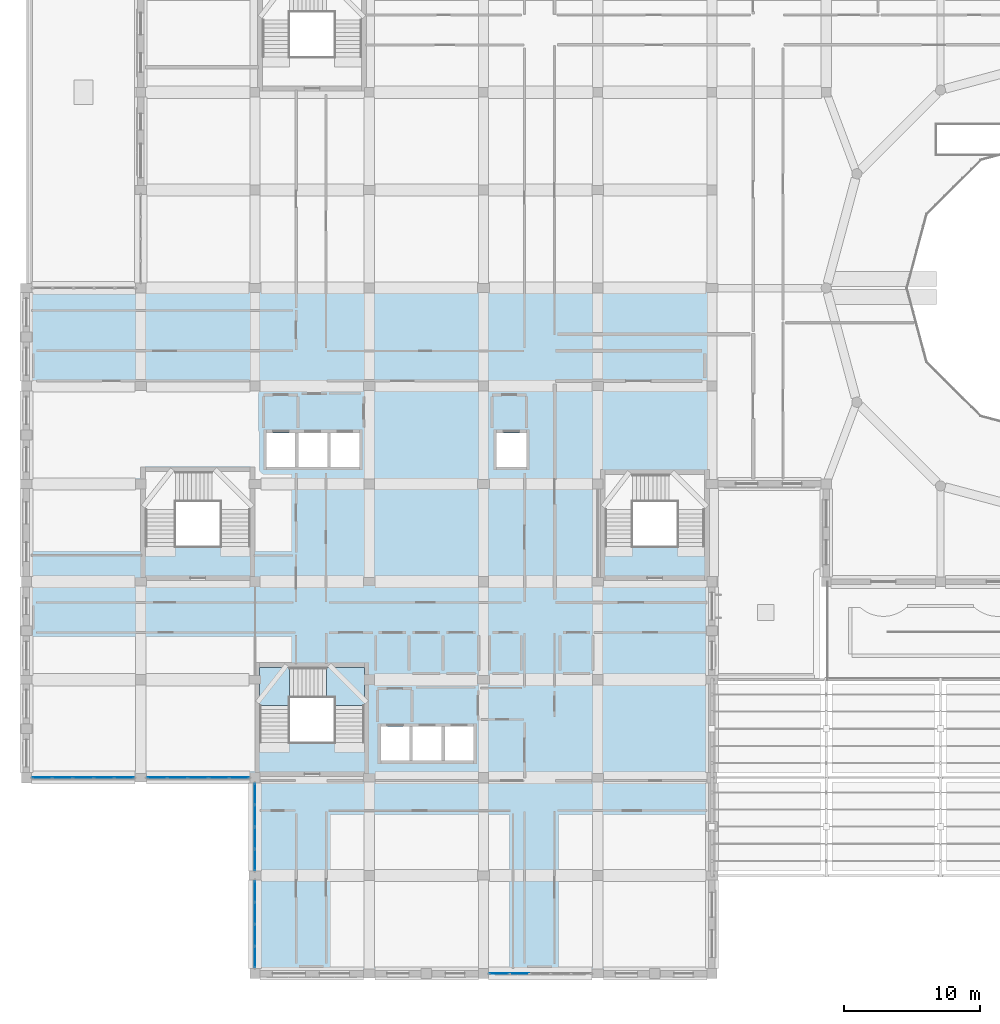
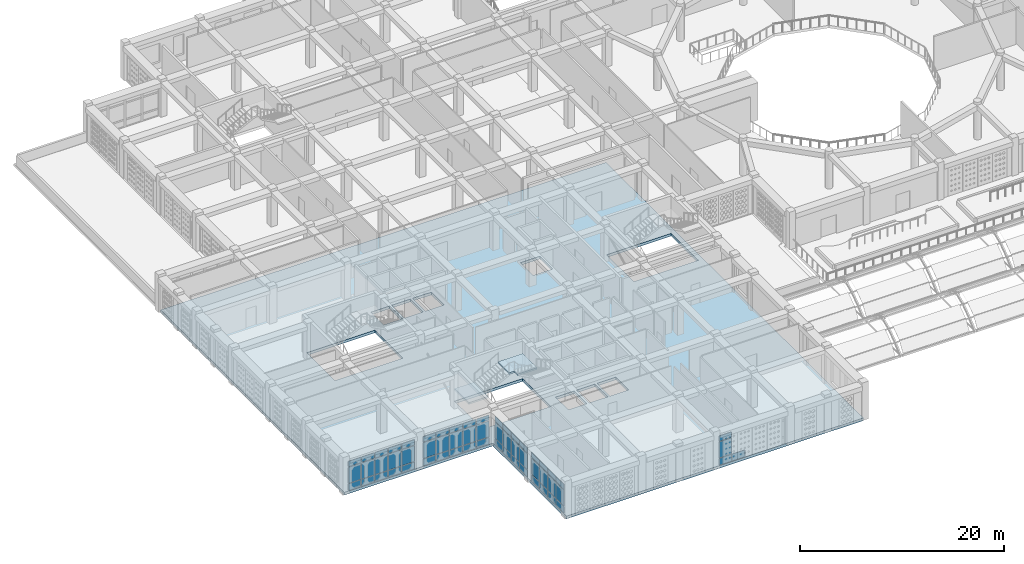
# One storey, part 40 of 100: 58 plates, 3 slabs, 6 elements without a shape of their own.
"""IFC4 building model written with IfcOpenShell, lengths in metres."""

from ifc_helpers import new_model, si_unit, derived_unit, direction, frame, origin, origin_2d, place, context, subcontext, project, spatial, polyline, rectangle, outline, extrude, material, layer, layer_set, type_object, element, aggregate, save


model = new_model("IFC4")

# Units and contexts
model_context = context("Model", 3, precision=1e-05, world=origin(), true_north=direction((0.0, 1.0)))
body_context = subcontext(model_context, "Body", "Model", "MODEL_VIEW")
ifc_project = project(units=[si_unit("LENGTHUNIT", "METRE"), si_unit("AREAUNIT", "SQUARE_METRE"), si_unit("VOLUMEUNIT", "CUBIC_METRE"), si_unit("PLANEANGLEUNIT", "RADIAN"), si_unit("MASSUNIT", "GRAM", prefix="KILO"), derived_unit("THERMALTRANSMITTANCEUNIT", [(si_unit("POWERUNIT", "WATT"), 1), (si_unit("LENGTHUNIT", "METRE"), -2), (si_unit("THERMODYNAMICTEMPERATUREUNIT", "KELVIN"), -1)])], contexts=[model_context])

# Site, building, storey
site_placement = place(None, origin())
site = spatial("IfcSite", under=ifc_project, at=site_placement, CompositionType="ELEMENT")
building_placement = place(site_placement, origin())
building = spatial("IfcBuilding", under=site, at=building_placement, Name="Veybourne Emporium", CompositionType="ELEMENT")
storey_placement = place(building_placement, frame((0.0, 0.0, 14.39990234375)))
storey = spatial("IfcBuildingStorey", under=building, at=storey_placement, Name="L03", CompositionType="ELEMENT", Elevation=14.39990234375)

# Curtain wall, plates
ifc_material_1 = material(Name="Patinated Architectural Bronze", Category="bronze")
curtain_wall_type_1 = type_object("IfcCurtainWallType", Name="CWSystem_CWS-05", PredefinedType="NOTDEFINED", material=ifc_material_1)
curtain_wall_1_placement = place(storey_placement, origin())
curtain_wall_1 = element("IfcCurtainWall", 1, at=curtain_wall_1_placement, inside=storey, type_object=curtain_wall_type_1, Name="L03 bronze glazed curtain wall CWS-05 (001)", PredefinedType="NOTDEFINED")
ifc_material_2 = material(Name="Low-E Triple Glazing", Category="glass")
ifc_layer_1 = layer(ifc_material_2, 0.028076171875)
ifc_layer_set_1 = layer_set([ifc_layer_1], Name="Low-E Triple Glazing")
plate_type = type_object("IfcPlateType", Name="CWPanel_CW-P1", PredefinedType="CURTAIN_PANEL", material=ifc_layer_set_1)
plate_1_placement = place(storey_placement, frame((7.197021484375, 14.39990234375, 0.072021484375), z_axis=(0.0, 0.0, 1.0), x_axis=(-1.0, 0.0, 0.0)))
plate_1 = element("IfcPlate", 2, at=plate_1_placement, type_object=plate_type, Name="CWS-05 panel 1.1", PredefinedType="CURTAIN_PANEL", context=body_context, shape_type="SweptSolid", body=[
    extrude(rectangle(XDim=1.412109375, YDim=0.028076171875, at=origin_2d()), origin(), (0.0, 0.0, 1.0), 0.7919921875),
])
plate_2_placement = place(storey_placement, frame((7.197021484375, 14.39990234375, 0.93603515625), z_axis=(0.0, 0.0, 1.0), x_axis=(-1.0, 0.0, 0.0)))
plate_2 = element("IfcPlate", 3, at=plate_2_placement, type_object=plate_type, Name="CWS-05 panel 1.2", PredefinedType="CURTAIN_PANEL", context=body_context, shape_type="SweptSolid", body=[
    extrude(rectangle(XDim=1.412109375, YDim=0.028076171875, at=origin_2d()), origin(), (0.0, 0.0, 1.0), 1.907958984375),
])
plate_3_placement = place(storey_placement, frame((7.197021484375, 14.39990234375, 2.916015625), z_axis=(0.0, 0.0, 1.0), x_axis=(-1.0, 0.0, 0.0)))
plate_3 = element("IfcPlate", 4, at=plate_3_placement, type_object=plate_type, Name="CWS-05 panel 1.3", PredefinedType="CURTAIN_PANEL", context=body_context, shape_type="SweptSolid", body=[
    extrude(rectangle(XDim=1.412109375, YDim=0.028076171875, at=origin_2d()), origin(), (0.0, 0.0, 1.0), 0.64208984375),
])
plate_4_placement = place(storey_placement, frame((5.695068359375, 14.39990234375, 0.072021484375), z_axis=(0.0, 0.0, 1.0), x_axis=(-1.0, 0.0, 0.0)))
plate_4 = element("IfcPlate", 5, at=plate_4_placement, type_object=plate_type, Name="CWS-05 panel 2.1", PredefinedType="CURTAIN_PANEL", context=body_context, shape_type="SweptSolid", body=[
    extrude(rectangle(XDim=1.447998046875, YDim=0.028076171875, at=origin_2d()), origin(), (0.0, 0.0, 1.0), 0.7919921875),
])
plate_5_placement = place(storey_placement, frame((5.695068359375, 14.39990234375, 0.93603515625), z_axis=(0.0, 0.0, 1.0), x_axis=(-1.0, 0.0, 0.0)))
plate_5 = element("IfcPlate", 6, at=plate_5_placement, type_object=plate_type, Name="CWS-05 panel 2.2", PredefinedType="CURTAIN_PANEL", context=body_context, shape_type="SweptSolid", body=[
    extrude(rectangle(XDim=1.447998046875, YDim=0.028076171875, at=origin_2d()), origin(), (0.0, 0.0, 1.0), 1.907958984375),
])
plate_6_placement = place(storey_placement, frame((5.695068359375, 14.39990234375, 2.916015625), z_axis=(0.0, 0.0, 1.0), x_axis=(-1.0, 0.0, 0.0)))
plate_6 = element("IfcPlate", 7, at=plate_6_placement, type_object=plate_type, Name="CWS-05 panel 2.3", PredefinedType="CURTAIN_PANEL", context=body_context, shape_type="SweptSolid", body=[
    extrude(rectangle(XDim=1.447998046875, YDim=0.028076171875, at=origin_2d()), origin(), (0.0, 0.0, 1.0), 0.64208984375),
])
plate_7_placement = place(storey_placement, frame((4.175048828125, 14.39990234375, 0.072021484375), z_axis=(0.0, 0.0, 1.0), x_axis=(-1.0, 0.0, 0.0)))
plate_7 = element("IfcPlate", 8, at=plate_7_placement, type_object=plate_type, Name="CWS-05 panel 3.1", PredefinedType="CURTAIN_PANEL", context=body_context, shape_type="SweptSolid", body=[
    extrude(rectangle(XDim=1.447998046875, YDim=0.028076171875, at=origin_2d()), origin(), (0.0, 0.0, 1.0), 0.7919921875),
])
plate_8_placement = place(storey_placement, frame((4.175048828125, 14.39990234375, 0.93603515625), z_axis=(0.0, 0.0, 1.0), x_axis=(-1.0, 0.0, 0.0)))
plate_8 = element("IfcPlate", 9, at=plate_8_placement, type_object=plate_type, Name="CWS-05 panel 3.2", PredefinedType="CURTAIN_PANEL", context=body_context, shape_type="SweptSolid", body=[
    extrude(rectangle(XDim=1.447998046875, YDim=0.028076171875, at=origin_2d()), origin(), (0.0, 0.0, 1.0), 1.907958984375),
])
plate_9_placement = place(storey_placement, frame((4.175048828125, 14.39990234375, 2.916015625), z_axis=(0.0, 0.0, 1.0), x_axis=(-1.0, 0.0, 0.0)))
plate_9 = element("IfcPlate", 10, at=plate_9_placement, type_object=plate_type, Name="CWS-05 panel 3.3", PredefinedType="CURTAIN_PANEL", context=body_context, shape_type="SweptSolid", body=[
    extrude(rectangle(XDim=1.447998046875, YDim=0.028076171875, at=origin_2d()), origin(), (0.0, 0.0, 1.0), 0.64208984375),
])
plate_10_placement = place(storey_placement, frame((2.655029296875, 14.39990234375, 0.072021484375), z_axis=(0.0, 0.0, 1.0), x_axis=(-1.0, 0.0, 0.0)))
plate_10 = element("IfcPlate", 11, at=plate_10_placement, type_object=plate_type, Name="CWS-05 panel 4.1", PredefinedType="CURTAIN_PANEL", context=body_context, shape_type="SweptSolid", body=[
    extrude(rectangle(XDim=1.447998046875, YDim=0.028076171875, at=origin_2d()), origin(), (0.0, 0.0, 1.0), 0.7919921875),
])
plate_11_placement = place(storey_placement, frame((2.655029296875, 14.39990234375, 0.93603515625), z_axis=(0.0, 0.0, 1.0), x_axis=(-1.0, 0.0, 0.0)))
plate_11 = element("IfcPlate", 12, at=plate_11_placement, type_object=plate_type, Name="CWS-05 panel 4.2", PredefinedType="CURTAIN_PANEL", context=body_context, shape_type="SweptSolid", body=[
    extrude(rectangle(XDim=1.447998046875, YDim=0.028076171875, at=origin_2d()), origin(), (0.0, 0.0, 1.0), 1.907958984375),
])
plate_12_placement = place(storey_placement, frame((2.655029296875, 14.39990234375, 2.916015625), z_axis=(0.0, 0.0, 1.0), x_axis=(-1.0, 0.0, 0.0)))
plate_12 = element("IfcPlate", 13, at=plate_12_placement, type_object=plate_type, Name="CWS-05 panel 4.3", PredefinedType="CURTAIN_PANEL", context=body_context, shape_type="SweptSolid", body=[
    extrude(rectangle(XDim=1.447998046875, YDim=0.028076171875, at=origin_2d()), origin(), (0.0, 0.0, 1.0), 0.64208984375),
])
plate_13_placement = place(storey_placement, frame((1.153076171875, 14.39990234375, 0.072021484375), z_axis=(0.0, 0.0, 1.0), x_axis=(-1.0, 0.0, 0.0)))
plate_13 = element("IfcPlate", 14, at=plate_13_placement, type_object=plate_type, Name="CWS-05 panel 5.1", PredefinedType="CURTAIN_PANEL", context=body_context, shape_type="SweptSolid", body=[
    extrude(rectangle(XDim=1.412109375, YDim=0.028076171875, at=origin_2d()), origin(), (0.0, 0.0, 1.0), 0.7919921875),
])
plate_14_placement = place(storey_placement, frame((1.153076171875, 14.39990234375, 0.93603515625), z_axis=(0.0, 0.0, 1.0), x_axis=(-1.0, 0.0, 0.0)))
plate_14 = element("IfcPlate", 15, at=plate_14_placement, type_object=plate_type, Name="CWS-05 panel 5.2", PredefinedType="CURTAIN_PANEL", context=body_context, shape_type="SweptSolid", body=[
    extrude(rectangle(XDim=1.412109375, YDim=0.028076171875, at=origin_2d()), origin(), (0.0, 0.0, 1.0), 1.907958984375),
])
plate_15_placement = place(storey_placement, frame((1.153076171875, 14.39990234375, 2.916015625), z_axis=(0.0, 0.0, 1.0), x_axis=(-1.0, 0.0, 0.0)))
plate_15 = element("IfcPlate", 16, at=plate_15_placement, type_object=plate_type, Name="CWS-05 panel 5.3", PredefinedType="CURTAIN_PANEL", context=body_context, shape_type="SweptSolid", body=[
    extrude(rectangle(XDim=1.412109375, YDim=0.028076171875, at=origin_2d()), origin(), (0.0, 0.0, 1.0), 0.64208984375),
])
aggregate(curtain_wall_1, [plate_1, plate_2, plate_3, plate_4, plate_5, plate_6, plate_7, plate_8, plate_9, plate_10, plate_11, plate_12, plate_13, plate_14, plate_15])

curtain_wall_type_2 = type_object("IfcCurtainWallType", Name="CWSystem_CWS-07", PredefinedType="NOTDEFINED", material=ifc_material_1)
curtain_wall_2_placement = place(storey_placement, origin())
curtain_wall_2 = element("IfcCurtainWall", 17, at=curtain_wall_2_placement, inside=storey, type_object=curtain_wall_type_2, Name="L03 bronze glazed curtain wall CWS-07 (008)", PredefinedType="NOTDEFINED")
plate_16_placement = place(storey_placement, frame((15.6455078125, 14.39990234375, 0.078125), z_axis=(0.0, 0.0, 1.0), x_axis=(-1.0, 0.0, 0.0)))
plate_16 = element("IfcPlate", 18, at=plate_16_placement, type_object=plate_type, Name="CWS-07 panel 1.1", PredefinedType="CURTAIN_PANEL", context=body_context, shape_type="SweptSolid", body=[
    extrude(rectangle(XDim=1.403076171875, YDim=0.028076171875, at=origin_2d()), origin(), (0.0, 0.0, 1.0), 0.782958984375),
])
plate_17_placement = place(storey_placement, frame((15.6455078125, 14.39990234375, 0.93896484375), z_axis=(0.0, 0.0, 1.0), x_axis=(-1.0, 0.0, 0.0)))
plate_17 = element("IfcPlate", 19, at=plate_17_placement, type_object=plate_type, Name="CWS-07 panel 1.2", PredefinedType="CURTAIN_PANEL", context=body_context, shape_type="SweptSolid", body=[
    extrude(rectangle(XDim=1.403076171875, YDim=0.028076171875, at=origin_2d()), origin(), (0.0, 0.0, 1.0), 1.902099609375),
])
plate_18_placement = place(storey_placement, frame((15.6455078125, 14.39990234375, 2.9189453125), z_axis=(0.0, 0.0, 1.0), x_axis=(-1.0, 0.0, 0.0)))
plate_18 = element("IfcPlate", 20, at=plate_18_placement, type_object=plate_type, Name="CWS-07 panel 1.3", PredefinedType="CURTAIN_PANEL", context=body_context, shape_type="SweptSolid", body=[
    extrude(rectangle(XDim=1.403076171875, YDim=0.028076171875, at=origin_2d()), origin(), (0.0, 0.0, 1.0), 0.633056640625),
])
plate_19_placement = place(storey_placement, frame((14.14501953125, 14.39990234375, 0.078125), z_axis=(0.0, 0.0, 1.0), x_axis=(-1.0, 0.0, 0.0)))
plate_19 = element("IfcPlate", 21, at=plate_19_placement, type_object=plate_type, Name="CWS-07 panel 2.1", PredefinedType="CURTAIN_PANEL", context=body_context, shape_type="SweptSolid", body=[
    extrude(rectangle(XDim=1.44189453125, YDim=0.028076171875, at=origin_2d()), origin(), (0.0, 0.0, 1.0), 0.782958984375),
])
plate_20_placement = place(storey_placement, frame((14.14501953125, 14.39990234375, 0.93896484375), z_axis=(0.0, 0.0, 1.0), x_axis=(-1.0, 0.0, 0.0)))
plate_20 = element("IfcPlate", 22, at=plate_20_placement, type_object=plate_type, Name="CWS-07 panel 2.2", PredefinedType="CURTAIN_PANEL", context=body_context, shape_type="SweptSolid", body=[
    extrude(rectangle(XDim=1.44189453125, YDim=0.028076171875, at=origin_2d()), origin(), (0.0, 0.0, 1.0), 1.902099609375),
])
plate_21_placement = place(storey_placement, frame((14.14501953125, 14.39990234375, 2.9189453125), z_axis=(0.0, 0.0, 1.0), x_axis=(-1.0, 0.0, 0.0)))
plate_21 = element("IfcPlate", 23, at=plate_21_placement, type_object=plate_type, Name="CWS-07 panel 2.3", PredefinedType="CURTAIN_PANEL", context=body_context, shape_type="SweptSolid", body=[
    extrude(rectangle(XDim=1.44189453125, YDim=0.028076171875, at=origin_2d()), origin(), (0.0, 0.0, 1.0), 0.633056640625),
])
plate_22_placement = place(storey_placement, frame((12.625, 14.39990234375, 0.078125), z_axis=(0.0, 0.0, 1.0), x_axis=(-1.0, 0.0, 0.0)))
plate_22 = element("IfcPlate", 24, at=plate_22_placement, type_object=plate_type, Name="CWS-07 panel 3.1", PredefinedType="CURTAIN_PANEL", context=body_context, shape_type="SweptSolid", body=[
    extrude(rectangle(XDim=1.44189453125, YDim=0.028076171875, at=origin_2d()), origin(), (0.0, 0.0, 1.0), 0.782958984375),
])
plate_23_placement = place(storey_placement, frame((12.625, 14.39990234375, 0.93896484375), z_axis=(0.0, 0.0, 1.0), x_axis=(-1.0, 0.0, 0.0)))
plate_23 = element("IfcPlate", 25, at=plate_23_placement, type_object=plate_type, Name="CWS-07 panel 3.2", PredefinedType="CURTAIN_PANEL", context=body_context, shape_type="SweptSolid", body=[
    extrude(rectangle(XDim=1.44189453125, YDim=0.028076171875, at=origin_2d()), origin(), (0.0, 0.0, 1.0), 1.902099609375),
])
plate_24_placement = place(storey_placement, frame((12.625, 14.39990234375, 2.9189453125), z_axis=(0.0, 0.0, 1.0), x_axis=(-1.0, 0.0, 0.0)))
plate_24 = element("IfcPlate", 26, at=plate_24_placement, type_object=plate_type, Name="CWS-07 panel 3.3", PredefinedType="CURTAIN_PANEL", context=body_context, shape_type="SweptSolid", body=[
    extrude(rectangle(XDim=1.44189453125, YDim=0.028076171875, at=origin_2d()), origin(), (0.0, 0.0, 1.0), 0.633056640625),
])
plate_25_placement = place(storey_placement, frame((11.10498046875, 14.39990234375, 0.078125), z_axis=(0.0, 0.0, 1.0), x_axis=(-1.0, 0.0, 0.0)))
plate_25 = element("IfcPlate", 27, at=plate_25_placement, type_object=plate_type, Name="CWS-07 panel 4.1", PredefinedType="CURTAIN_PANEL", context=body_context, shape_type="SweptSolid", body=[
    extrude(rectangle(XDim=1.44189453125, YDim=0.028076171875, at=origin_2d()), origin(), (0.0, 0.0, 1.0), 0.782958984375),
])
plate_26_placement = place(storey_placement, frame((11.10498046875, 14.39990234375, 0.93896484375), z_axis=(0.0, 0.0, 1.0), x_axis=(-1.0, 0.0, 0.0)))
plate_26 = element("IfcPlate", 28, at=plate_26_placement, type_object=plate_type, Name="CWS-07 panel 4.2", PredefinedType="CURTAIN_PANEL", context=body_context, shape_type="SweptSolid", body=[
    extrude(rectangle(XDim=1.44189453125, YDim=0.028076171875, at=origin_2d()), origin(), (0.0, 0.0, 1.0), 1.902099609375),
])
plate_27_placement = place(storey_placement, frame((11.10498046875, 14.39990234375, 2.9189453125), z_axis=(0.0, 0.0, 1.0), x_axis=(-1.0, 0.0, 0.0)))
plate_27 = element("IfcPlate", 29, at=plate_27_placement, type_object=plate_type, Name="CWS-07 panel 4.3", PredefinedType="CURTAIN_PANEL", context=body_context, shape_type="SweptSolid", body=[
    extrude(rectangle(XDim=1.44189453125, YDim=0.028076171875, at=origin_2d()), origin(), (0.0, 0.0, 1.0), 0.633056640625),
])
plate_28_placement = place(storey_placement, frame((9.6044921875, 14.39990234375, 0.078125), z_axis=(0.0, 0.0, 1.0), x_axis=(-1.0, 0.0, 0.0)))
plate_28 = element("IfcPlate", 30, at=plate_28_placement, type_object=plate_type, Name="CWS-07 panel 5.1", PredefinedType="CURTAIN_PANEL", context=body_context, shape_type="SweptSolid", body=[
    extrude(rectangle(XDim=1.403076171875, YDim=0.028076171875, at=origin_2d()), origin(), (0.0, 0.0, 1.0), 0.782958984375),
])
plate_29_placement = place(storey_placement, frame((9.6044921875, 14.39990234375, 0.93896484375), z_axis=(0.0, 0.0, 1.0), x_axis=(-1.0, 0.0, 0.0)))
plate_29 = element("IfcPlate", 31, at=plate_29_placement, type_object=plate_type, Name="CWS-07 panel 5.2", PredefinedType="CURTAIN_PANEL", context=body_context, shape_type="SweptSolid", body=[
    extrude(rectangle(XDim=1.403076171875, YDim=0.028076171875, at=origin_2d()), origin(), (0.0, 0.0, 1.0), 1.902099609375),
])
plate_30_placement = place(storey_placement, frame((9.6044921875, 14.39990234375, 2.9189453125), z_axis=(0.0, 0.0, 1.0), x_axis=(-1.0, 0.0, 0.0)))
plate_30 = element("IfcPlate", 32, at=plate_30_placement, type_object=plate_type, Name="CWS-07 panel 5.3", PredefinedType="CURTAIN_PANEL", context=body_context, shape_type="SweptSolid", body=[
    extrude(rectangle(XDim=1.403076171875, YDim=0.028076171875, at=origin_2d()), origin(), (0.0, 0.0, 1.0), 0.633056640625),
])
aggregate(curtain_wall_2, [plate_16, plate_17, plate_18, plate_19, plate_20, plate_21, plate_22, plate_23, plate_24, plate_25, plate_26, plate_27, plate_28, plate_29, plate_30])

curtain_wall_type_3 = type_object("IfcCurtainWallType", Name="CWSystem_CWS-10", PredefinedType="NOTDEFINED", material=ifc_material_1)
curtain_wall_3_placement = place(storey_placement, origin())
curtain_wall_3 = element("IfcCurtainWall", 33, at=curtain_wall_3_placement, inside=storey, type_object=curtain_wall_type_3, Name="L03 bronze glazed curtain wall CWS-10 (015)", PredefinedType="NOTDEFINED")
plate_31_placement = place(storey_placement, frame((16.800048828125, 1.206298828125, 0.074951171875), z_axis=(0.0, 0.0, 1.0), x_axis=(0.0, 1.0, 0.0)))
plate_31 = element("IfcPlate", 34, at=plate_31_placement, type_object=plate_type, Name="CWS-10 panel 1.1", PredefinedType="CURTAIN_PANEL", context=body_context, shape_type="SweptSolid", body=[
    extrude(rectangle(XDim=1.512451171875, YDim=0.028076171875, at=origin_2d()), origin(), (0.0, 0.0, 1.0), 0.78759765625),
])
plate_32_placement = place(storey_placement, frame((16.800048828125, 1.206298828125, 0.9375), z_axis=(0.0, 0.0, 1.0), x_axis=(0.0, 1.0, 0.0)))
plate_32 = element("IfcPlate", 35, at=plate_32_placement, type_object=plate_type, Name="CWS-10 panel 1.2", PredefinedType="CURTAIN_PANEL", context=body_context, shape_type="SweptSolid", body=[
    extrude(rectangle(XDim=1.512451171875, YDim=0.028076171875, at=origin_2d()), origin(), (0.0, 0.0, 1.0), 1.905029296875),
])
plate_33_placement = place(storey_placement, frame((16.800048828125, 1.206298828125, 2.91748046875), z_axis=(0.0, 0.0, 1.0), x_axis=(0.0, 1.0, 0.0)))
plate_33 = element("IfcPlate", 36, at=plate_33_placement, type_object=plate_type, Name="CWS-10 panel 1.3", PredefinedType="CURTAIN_PANEL", context=body_context, shape_type="SweptSolid", body=[
    extrude(rectangle(XDim=1.512451171875, YDim=0.028076171875, at=origin_2d()), origin(), (0.0, 0.0, 1.0), 0.637451171875),
])
plate_34_placement = place(storey_placement, frame((16.800048828125, 2.8125, 0.074951171875), z_axis=(0.0, 0.0, 1.0), x_axis=(0.0, 1.0, 0.0)))
plate_34 = element("IfcPlate", 37, at=plate_34_placement, type_object=plate_type, Name="CWS-10 panel 2.1", PredefinedType="CURTAIN_PANEL", context=body_context, shape_type="SweptSolid", body=[
    extrude(rectangle(XDim=1.550048828125, YDim=0.028076171875, at=origin_2d()), origin(), (0.0, 0.0, 1.0), 0.78759765625),
])
plate_35_placement = place(storey_placement, frame((16.800048828125, 2.8125, 0.9375), z_axis=(0.0, 0.0, 1.0), x_axis=(0.0, 1.0, 0.0)))
plate_35 = element("IfcPlate", 38, at=plate_35_placement, type_object=plate_type, Name="CWS-10 panel 2.2", PredefinedType="CURTAIN_PANEL", context=body_context, shape_type="SweptSolid", body=[
    extrude(rectangle(XDim=1.550048828125, YDim=0.028076171875, at=origin_2d()), origin(), (0.0, 0.0, 1.0), 1.905029296875),
])
plate_36_placement = place(storey_placement, frame((16.800048828125, 2.8125, 2.91748046875), z_axis=(0.0, 0.0, 1.0), x_axis=(0.0, 1.0, 0.0)))
plate_36 = element("IfcPlate", 39, at=plate_36_placement, type_object=plate_type, Name="CWS-10 panel 2.3", PredefinedType="CURTAIN_PANEL", context=body_context, shape_type="SweptSolid", body=[
    extrude(rectangle(XDim=1.550048828125, YDim=0.028076171875, at=origin_2d()), origin(), (0.0, 0.0, 1.0), 0.637451171875),
])
plate_37_placement = place(storey_placement, frame((16.800048828125, 4.4375, 0.074951171875), z_axis=(0.0, 0.0, 1.0), x_axis=(0.0, 1.0, 0.0)))
plate_37 = element("IfcPlate", 40, at=plate_37_placement, type_object=plate_type, Name="CWS-10 panel 3.1", PredefinedType="CURTAIN_PANEL", context=body_context, shape_type="SweptSolid", body=[
    extrude(rectangle(XDim=1.550048828125, YDim=0.028076171875, at=origin_2d()), origin(), (0.0, 0.0, 1.0), 0.78759765625),
])
plate_38_placement = place(storey_placement, frame((16.800048828125, 4.4375, 0.9375), z_axis=(0.0, 0.0, 1.0), x_axis=(0.0, 1.0, 0.0)))
plate_38 = element("IfcPlate", 41, at=plate_38_placement, type_object=plate_type, Name="CWS-10 panel 3.2", PredefinedType="CURTAIN_PANEL", context=body_context, shape_type="SweptSolid", body=[
    extrude(rectangle(XDim=1.550048828125, YDim=0.028076171875, at=origin_2d()), origin(), (0.0, 0.0, 1.0), 1.905029296875),
])
plate_39_placement = place(storey_placement, frame((16.800048828125, 4.4375, 2.91748046875), z_axis=(0.0, 0.0, 1.0), x_axis=(0.0, 1.0, 0.0)))
plate_39 = element("IfcPlate", 42, at=plate_39_placement, type_object=plate_type, Name="CWS-10 panel 3.3", PredefinedType="CURTAIN_PANEL", context=body_context, shape_type="SweptSolid", body=[
    extrude(rectangle(XDim=1.550048828125, YDim=0.028076171875, at=origin_2d()), origin(), (0.0, 0.0, 1.0), 0.637451171875),
])
plate_40_placement = place(storey_placement, frame((16.800048828125, 6.043701171875, 0.074951171875), z_axis=(0.0, 0.0, 1.0), x_axis=(0.0, 1.0, 0.0)))
plate_40 = element("IfcPlate", 43, at=plate_40_placement, type_object=plate_type, Name="CWS-10 panel 4.1", PredefinedType="CURTAIN_PANEL", context=body_context, shape_type="SweptSolid", body=[
    extrude(rectangle(XDim=1.512451171875, YDim=0.028076171875, at=origin_2d()), origin(), (0.0, 0.0, 1.0), 0.78759765625),
])
plate_41_placement = place(storey_placement, frame((16.800048828125, 6.043701171875, 0.9375), z_axis=(0.0, 0.0, 1.0), x_axis=(0.0, 1.0, 0.0)))
plate_41 = element("IfcPlate", 44, at=plate_41_placement, type_object=plate_type, Name="CWS-10 panel 4.2", PredefinedType="CURTAIN_PANEL", context=body_context, shape_type="SweptSolid", body=[
    extrude(rectangle(XDim=1.512451171875, YDim=0.028076171875, at=origin_2d()), origin(), (0.0, 0.0, 1.0), 1.905029296875),
])
plate_42_placement = place(storey_placement, frame((16.800048828125, 6.043701171875, 2.91748046875), z_axis=(0.0, 0.0, 1.0), x_axis=(0.0, 1.0, 0.0)))
plate_42 = element("IfcPlate", 45, at=plate_42_placement, type_object=plate_type, Name="CWS-10 panel 4.3", PredefinedType="CURTAIN_PANEL", context=body_context, shape_type="SweptSolid", body=[
    extrude(rectangle(XDim=1.512451171875, YDim=0.028076171875, at=origin_2d()), origin(), (0.0, 0.0, 1.0), 0.637451171875),
])
aggregate(curtain_wall_3, [plate_31, plate_32, plate_33, plate_34, plate_35, plate_36, plate_37, plate_38, plate_39, plate_40, plate_41, plate_42])

curtain_wall_type_4 = type_object("IfcCurtainWallType", Name="CWSystem_CWS-11", PredefinedType="NOTDEFINED", material=ifc_material_1)
curtain_wall_4_placement = place(storey_placement, origin())
curtain_wall_4 = element("IfcCurtainWall", 46, at=curtain_wall_4_placement, inside=storey, type_object=curtain_wall_type_4, Name="L03 bronze glazed curtain wall CWS-11 (016)", PredefinedType="NOTDEFINED")
plate_43_placement = place(storey_placement, frame((16.800048828125, 8.35693359375, 0.078125), z_axis=(0.0, 0.0, 1.0), x_axis=(0.0, 1.0, 0.0)))
plate_43 = element("IfcPlate", 47, at=plate_43_placement, type_object=plate_type, Name="CWS-11 panel 1.1", PredefinedType="CURTAIN_PANEL", context=body_context, shape_type="SweptSolid", body=[
    extrude(rectangle(XDim=1.508056640625, YDim=0.028076171875, at=origin_2d()), origin(), (0.0, 0.0, 1.0), 0.782958984375),
])
plate_44_placement = place(storey_placement, frame((16.800048828125, 8.35693359375, 0.93896484375), z_axis=(0.0, 0.0, 1.0), x_axis=(0.0, 1.0, 0.0)))
plate_44 = element("IfcPlate", 48, at=plate_44_placement, type_object=plate_type, Name="CWS-11 panel 1.2", PredefinedType="CURTAIN_PANEL", context=body_context, shape_type="SweptSolid", body=[
    extrude(rectangle(XDim=1.508056640625, YDim=0.028076171875, at=origin_2d()), origin(), (0.0, 0.0, 1.0), 1.902099609375),
])
plate_45_placement = place(storey_placement, frame((16.800048828125, 8.35693359375, 2.9189453125), z_axis=(0.0, 0.0, 1.0), x_axis=(0.0, 1.0, 0.0)))
plate_45 = element("IfcPlate", 49, at=plate_45_placement, type_object=plate_type, Name="CWS-11 panel 1.3", PredefinedType="CURTAIN_PANEL", context=body_context, shape_type="SweptSolid", body=[
    extrude(rectangle(XDim=1.508056640625, YDim=0.028076171875, at=origin_2d()), origin(), (0.0, 0.0, 1.0), 0.633056640625),
])
plate_46_placement = place(storey_placement, frame((16.800048828125, 9.96240234375, 0.078125), z_axis=(0.0, 0.0, 1.0), x_axis=(0.0, 1.0, 0.0)))
plate_46 = element("IfcPlate", 50, at=plate_46_placement, type_object=plate_type, Name="CWS-11 panel 2.1", PredefinedType="CURTAIN_PANEL", context=body_context, shape_type="SweptSolid", body=[
    extrude(rectangle(XDim=1.547119140625, YDim=0.028076171875, at=origin_2d()), origin(), (0.0, 0.0, 1.0), 0.782958984375),
])
plate_47_placement = place(storey_placement, frame((16.800048828125, 9.96240234375, 0.93896484375), z_axis=(0.0, 0.0, 1.0), x_axis=(0.0, 1.0, 0.0)))
plate_47 = element("IfcPlate", 51, at=plate_47_placement, type_object=plate_type, Name="CWS-11 panel 2.2", PredefinedType="CURTAIN_PANEL", context=body_context, shape_type="SweptSolid", body=[
    extrude(rectangle(XDim=1.547119140625, YDim=0.028076171875, at=origin_2d()), origin(), (0.0, 0.0, 1.0), 1.902099609375),
])
plate_48_placement = place(storey_placement, frame((16.800048828125, 9.96240234375, 2.9189453125), z_axis=(0.0, 0.0, 1.0), x_axis=(0.0, 1.0, 0.0)))
plate_48 = element("IfcPlate", 52, at=plate_48_placement, type_object=plate_type, Name="CWS-11 panel 2.3", PredefinedType="CURTAIN_PANEL", context=body_context, shape_type="SweptSolid", body=[
    extrude(rectangle(XDim=1.547119140625, YDim=0.028076171875, at=origin_2d()), origin(), (0.0, 0.0, 1.0), 0.633056640625),
])
plate_49_placement = place(storey_placement, frame((16.800048828125, 11.58740234375, 0.078125), z_axis=(0.0, 0.0, 1.0), x_axis=(0.0, 1.0, 0.0)))
plate_49 = element("IfcPlate", 53, at=plate_49_placement, type_object=plate_type, Name="CWS-11 panel 3.1", PredefinedType="CURTAIN_PANEL", context=body_context, shape_type="SweptSolid", body=[
    extrude(rectangle(XDim=1.547119140625, YDim=0.028076171875, at=origin_2d()), origin(), (0.0, 0.0, 1.0), 0.782958984375),
])
plate_50_placement = place(storey_placement, frame((16.800048828125, 11.58740234375, 0.93896484375), z_axis=(0.0, 0.0, 1.0), x_axis=(0.0, 1.0, 0.0)))
plate_50 = element("IfcPlate", 54, at=plate_50_placement, type_object=plate_type, Name="CWS-11 panel 3.2", PredefinedType="CURTAIN_PANEL", context=body_context, shape_type="SweptSolid", body=[
    extrude(rectangle(XDim=1.547119140625, YDim=0.028076171875, at=origin_2d()), origin(), (0.0, 0.0, 1.0), 1.902099609375),
])
plate_51_placement = place(storey_placement, frame((16.800048828125, 11.58740234375, 2.9189453125), z_axis=(0.0, 0.0, 1.0), x_axis=(0.0, 1.0, 0.0)))
plate_51 = element("IfcPlate", 55, at=plate_51_placement, type_object=plate_type, Name="CWS-11 panel 3.3", PredefinedType="CURTAIN_PANEL", context=body_context, shape_type="SweptSolid", body=[
    extrude(rectangle(XDim=1.547119140625, YDim=0.028076171875, at=origin_2d()), origin(), (0.0, 0.0, 1.0), 0.633056640625),
])
plate_52_placement = place(storey_placement, frame((16.800048828125, 13.193115234375, 0.078125), z_axis=(0.0, 0.0, 1.0), x_axis=(0.0, 1.0, 0.0)))
plate_52 = element("IfcPlate", 56, at=plate_52_placement, type_object=plate_type, Name="CWS-11 panel 4.1", PredefinedType="CURTAIN_PANEL", context=body_context, shape_type="SweptSolid", body=[
    extrude(rectangle(XDim=1.508056640625, YDim=0.028076171875, at=origin_2d()), origin(), (0.0, 0.0, 1.0), 0.782958984375),
])
plate_53_placement = place(storey_placement, frame((16.800048828125, 13.193115234375, 0.93896484375), z_axis=(0.0, 0.0, 1.0), x_axis=(0.0, 1.0, 0.0)))
plate_53 = element("IfcPlate", 57, at=plate_53_placement, type_object=plate_type, Name="CWS-11 panel 4.2", PredefinedType="CURTAIN_PANEL", context=body_context, shape_type="SweptSolid", body=[
    extrude(rectangle(XDim=1.508056640625, YDim=0.028076171875, at=origin_2d()), origin(), (0.0, 0.0, 1.0), 1.902099609375),
])
plate_54_placement = place(storey_placement, frame((16.800048828125, 13.193115234375, 2.9189453125), z_axis=(0.0, 0.0, 1.0), x_axis=(0.0, 1.0, 0.0)))
plate_54 = element("IfcPlate", 58, at=plate_54_placement, type_object=plate_type, Name="CWS-11 panel 4.3", PredefinedType="CURTAIN_PANEL", context=body_context, shape_type="SweptSolid", body=[
    extrude(rectangle(XDim=1.508056640625, YDim=0.028076171875, at=origin_2d()), origin(), (0.0, 0.0, 1.0), 0.633056640625),
])
aggregate(curtain_wall_4, [plate_43, plate_44, plate_45, plate_46, plate_47, plate_48, plate_49, plate_50, plate_51, plate_52, plate_53, plate_54])

curtain_wall_type_5 = type_object("IfcCurtainWallType", Name="CWSystem_CWS-13", PredefinedType="NOTDEFINED", material=ifc_material_1)
curtain_wall_5_placement = place(storey_placement, origin())
curtain_wall_5 = element("IfcCurtainWall", 59, at=curtain_wall_5_placement, inside=storey, type_object=curtain_wall_type_5, Name="L03 bronze glazed curtain wall CWS-13 (021)", PredefinedType="NOTDEFINED")
plate_55_placement = place(storey_placement, frame((36.2548828125, 0.0, 0.072021484375), z_axis=(0.0, 0.0, 1.0), x_axis=(-1.0, 0.0, 0.0)))
plate_55 = element("IfcPlate", 60, at=plate_55_placement, type_object=plate_type, Name="CWS-13 panel 4.1", PredefinedType="CURTAIN_PANEL", context=body_context, shape_type="SweptSolid", body=[
    extrude(rectangle(XDim=1.447998046875, YDim=0.028076171875, at=origin_2d()), origin(), (0.0, 0.0, 1.0), 0.7919921875),
])
plate_56_placement = place(storey_placement, frame((34.7529296875, 0.0, 0.072021484375), z_axis=(0.0, 0.0, 1.0), x_axis=(-1.0, 0.0, 0.0)))
plate_56 = element("IfcPlate", 61, at=plate_56_placement, type_object=plate_type, Name="CWS-13 panel 5.1", PredefinedType="CURTAIN_PANEL", context=body_context, shape_type="SweptSolid", body=[
    extrude(rectangle(XDim=1.412109375, YDim=0.028076171875, at=origin_2d()), origin(), (0.0, 0.0, 1.0), 0.7919921875),
])
plate_57_placement = place(storey_placement, frame((34.7529296875, 0.0, 0.93603515625), z_axis=(0.0, 0.0, 1.0), x_axis=(-1.0, 0.0, 0.0)))
plate_57 = element("IfcPlate", 62, at=plate_57_placement, type_object=plate_type, Name="CWS-13 panel 5.2", PredefinedType="CURTAIN_PANEL", context=body_context, shape_type="SweptSolid", body=[
    extrude(rectangle(XDim=1.412109375, YDim=0.028076171875, at=origin_2d()), origin(), (0.0, 0.0, 1.0), 1.907958984375),
])
plate_58_placement = place(storey_placement, frame((34.7529296875, 0.0, 2.916015625), z_axis=(0.0, 0.0, 1.0), x_axis=(-1.0, 0.0, 0.0)))
plate_58 = element("IfcPlate", 63, at=plate_58_placement, type_object=plate_type, Name="CWS-13 panel 5.3", PredefinedType="CURTAIN_PANEL", context=body_context, shape_type="SweptSolid", body=[
    extrude(rectangle(XDim=1.412109375, YDim=0.028076171875, at=origin_2d()), origin(), (0.0, 0.0, 1.0), 0.64208984375),
])
aggregate(curtain_wall_5, [plate_55, plate_56, plate_57, plate_58])

# Stair, slabs
ifc_material_3 = material(Name="Concrete C32/40", Category="concrete")
stair_type = type_object("IfcStairType", Name="Stair_ST-01-R30", PredefinedType="TWO_QUARTER_TURN_STAIR", material=ifc_material_3)
stair_placement = place(storey_placement, origin())
stair = element("IfcStair", 64, at=stair_placement, inside=storey, type_object=stair_type, Name="L03 stair ST-01", PredefinedType="TWO_QUARTER_TURN_STAIR")
ifc_layer_2 = layer(ifc_material_3, 0.199951171875)
ifc_layer_set_2 = layer_set([ifc_layer_2], Name="Concrete C32/40")
slab_type_1 = type_object("IfcSlabType", Name="Landing_LDG-01", PredefinedType="LANDING", material=ifc_layer_set_2)
slab_1_placement = place(storey_placement, frame((0.0, 0.0, 1.300048828125)))
slab_1 = element("IfcSlab", 65, at=slab_1_placement, type_object=slab_type_1, Name="ST-01-R30 landing 1", PredefinedType="LANDING", context=body_context, shape_type="SweptSolid", body=[
    extrude(outline(polyline([(17.14990234375, 19.699951171875), (19.35009765625, 19.699951171875), (19.35009765625, 22.5), (17.14990234375, 22.5), (17.14990234375, 19.699951171875)])), origin(), (0.0, 0.0, 1.0), 0.199951171875),
])
slab_2_placement = place(storey_placement, frame((0.0, 0.0, 2.800048828125)))
slab_2 = element("IfcSlab", 66, at=slab_2_placement, type_object=slab_type_1, Name="ST-01-R30 landing 2", PredefinedType="LANDING", context=body_context, shape_type="SweptSolid", body=[
    extrude(outline(polyline([(22.050048828125, 20.300048828125), (22.64990234375, 20.300048828125), (22.64990234375, 19.699951171875), (24.85009765625, 19.699951171875), (24.85009765625, 22.5), (22.050048828125, 22.5), (22.050048828125, 20.300048828125)])), origin(), (0.0, 0.0, 1.0), 0.199951171875),
])
aggregate(stair, [slab_1, slab_2])

# Slab
ifc_layer_3 = layer(ifc_material_3, 0.320068359375)
ifc_layer_set_3 = layer_set([ifc_layer_3], Name="Concrete C32/40")
slab_type_2 = type_object("IfcSlabType", Name="Slab_FS-02", PredefinedType="FLOOR", material=ifc_layer_set_3)
slab_3_placement = place(storey_placement, frame((0.0, 0.0, -0.31982421875)))
element("IfcSlab", 67, at=slab_3_placement, inside=storey, type_object=slab_type_2, Name="L03 floor slab FS-02 (V1.1)", PredefinedType="FLOOR", context=body_context, shape_type="SweptSolid", body=[
    extrude(outline(polyline([(0.0, 14.39990234375), (0.0, 21.60009765625), (0.0, 28.800048828125), (0.0, 36.0), (0.0, 43.199951171875), (0.0, 50.39990234375), (8.39990234375, 50.39990234375), (16.800048828125, 50.39990234375), (25.199951171875, 50.39990234375), (33.60009765625, 50.39990234375), (42.0, 50.39990234375), (50.39990234375, 50.39990234375), (50.39990234375, 43.199951171875), (50.39990234375, 36.0), (50.39990234375, 28.800048828125), (50.39990234375, 21.60009765625), (50.39990234375, 14.39990234375), (50.39990234375, 7.199951171875), (50.39990234375, 0.0), (42.0, 0.0), (33.60009765625, 0.0), (25.199951171875, 0.0), (16.800048828125, 0.0), (16.800048828125, 7.199951171875), (16.800048828125, 14.39990234375), (8.39990234375, 14.39990234375), (0.0, 14.39990234375)]), holes=[polyline([(28.159912109375, 15.64990234375), (28.159912109375, 18.14990234375), (26.06005859375, 18.14990234375), (26.06005859375, 15.64990234375), (28.159912109375, 15.64990234375)]), polyline([(30.52001953125, 15.64990234375), (30.52001953125, 18.14990234375), (28.39990234375, 18.14990234375), (28.39990234375, 15.64990234375), (30.52001953125, 15.64990234375)]), polyline([(32.8798828125, 15.64990234375), (32.8798828125, 18.14990234375), (30.760009765625, 18.14990234375), (30.760009765625, 15.64990234375), (32.8798828125, 15.64990234375)]), polyline([(17.14990234375, 17.0), (24.85009765625, 17.0), (24.85009765625, 22.5), (17.14990234375, 22.5), (17.14990234375, 17.0)]), polyline([(42.550048828125, 31.39990234375), (49.85009765625, 31.39990234375), (49.85009765625, 36.699951171875), (42.550048828125, 36.699951171875), (42.550048828125, 31.39990234375)]), polyline([(16.449951171875, 31.39990234375), (16.449951171875, 36.89990234375), (8.75, 36.89990234375), (8.75, 31.39990234375), (16.449951171875, 31.39990234375)]), polyline([(17.659912109375, 37.25), (19.760009765625, 37.25), (19.760009765625, 39.75), (17.659912109375, 39.75), (17.659912109375, 37.25)]), polyline([(20.0, 37.25), (22.1201171875, 37.25), (22.1201171875, 39.75), (20.0, 39.75), (20.0, 37.25)]), polyline([(24.47998046875, 37.25), (24.47998046875, 39.75), (22.360107421875, 39.75), (22.360107421875, 37.25), (24.47998046875, 37.25)]), polyline([(34.56005859375, 37.25), (36.760009765625, 37.25), (36.760009765625, 39.75), (34.56005859375, 39.75), (34.56005859375, 37.25)])]), origin(), (0.0, 0.0, 1.0), 0.31982421875),
])

save(model, "model.ifc")
